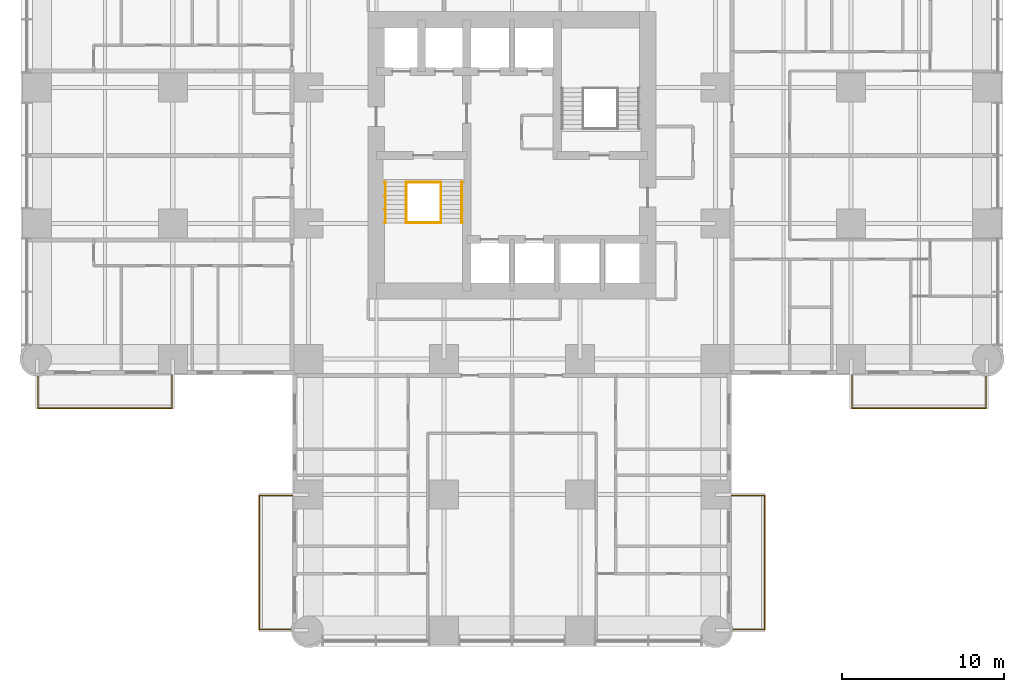
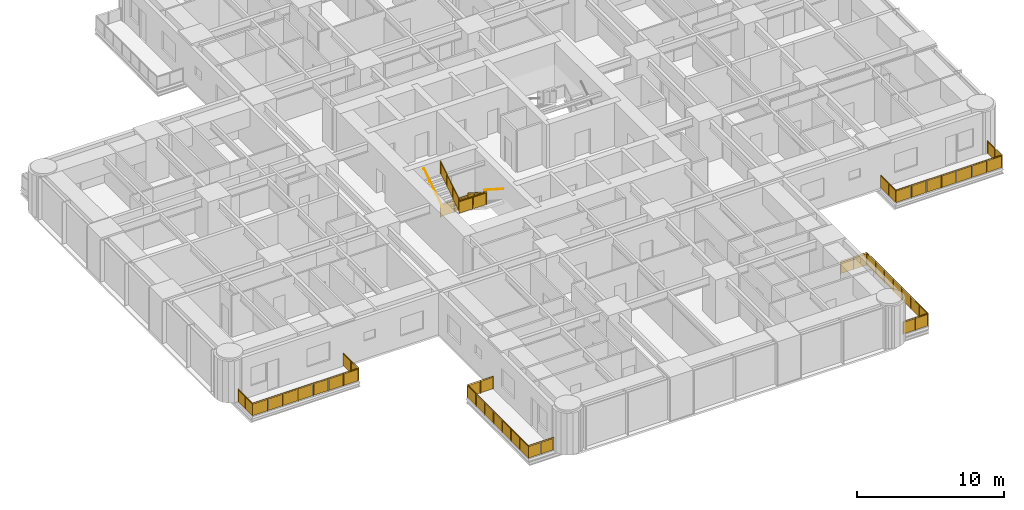
# One storey, part 16 of 17: 10 railings.
"""IFC4 building model written with IfcOpenShell, lengths in metres."""

from ifc_helpers import new_model, si_unit, direction, frame, origin, origin_2d, place, context, subcontext, project, spatial, polyline, circle, outline, extrude, material, constituent, constituent_set, type_object, element, save


model = new_model("IFC4")

# Units and contexts
model_context = context("Model", 3, precision=1e-05, world=origin(), true_north=direction((0.0, 1.0)))
body_context = subcontext(model_context, "Body", "Model", "MODEL_VIEW")
ifc_project = project(units=[si_unit("LENGTHUNIT", "METRE"), si_unit("AREAUNIT", "SQUARE_METRE"), si_unit("VOLUMEUNIT", "CUBIC_METRE"), si_unit("PLANEANGLEUNIT", "RADIAN"), si_unit("MASSUNIT", "GRAM", prefix="KILO")], contexts=[model_context])

# Site, building, storey
site_placement = place(None, origin())
site = spatial("IfcSite", under=ifc_project, at=site_placement, CompositionType="ELEMENT")
building_placement = place(site_placement, origin())
building = spatial("IfcBuilding", under=site, at=building_placement, Name="Torre Alcanfor", CompositionType="ELEMENT")
storey_placement = place(building_placement, frame((0.0, 0.0, 77.699951171875)))
storey = spatial("IfcBuildingStorey", under=building, at=storey_placement, Name="L19", CompositionType="ELEMENT", Elevation=77.699951171875)

# Railings
ifc_material_1 = material(Name="Laminated safety glass", Category="glass")
ifc_constituent_1 = constituent(ifc_material_1, Name="Infill")
ifc_material_2 = material(Name="Stainless steel ASTM A554 Grade MT 316L tube", Category="steel")
ifc_constituent_2 = constituent(ifc_material_2, Name="Posts and rail")
ifc_constituent_set = constituent_set(constituents=[ifc_constituent_1, ifc_constituent_2], Name="Balcony guard glass 1100")
railing_type_1 = type_object("IfcRailingType", Name="Balcony guard glass 1100", PredefinedType="BALUSTRADE", material=ifc_constituent_set)
railing_1_placement = place(storey_placement, frame((50.449951171875, 15.800048828125, 0.0)))
element("IfcRailing", 1, at=railing_1_placement, inside=storey, type_object=railing_type_1, Name="Balcony guard L19-E2", PredefinedType="BALUSTRADE", context=body_context, shape_type="SweptSolid", body=[
    extrude(circle(Radius=0.02392578125, at=origin_2d()), frame((0.0, 0.0, 1.076171875), z_axis=(0.0, -1.0, 0.0), x_axis=(1.0, 0.0, 0.0)), (0.0, 0.0, 1.0), 2.050048828125),
    extrude(circle(Radius=0.02392578125, at=origin_2d()), frame((0.0, -2.050048828125, 1.076171875), z_axis=(1.0, 0.0, 0.0), x_axis=(0.0, 1.0, 0.0)), (0.0, 0.0, 1.0), 8.300048828125),
    extrude(circle(Radius=0.02392578125, at=origin_2d()), frame((8.300048828125, -2.050048828125, 1.076171875), z_axis=(0.0, 1.0, 0.0), x_axis=(-1.0, 0.0, 0.0)), (0.0, 0.0, 1.0), 1.968994140625),
    extrude(circle(Radius=0.02099609375, at=origin_2d()), origin(), (0.0, 0.0, 1.0), 1.052001953125),
    extrude(circle(Radius=0.02099609375, at=origin_2d()), frame((0.0, -1.02490234375, 0.0)), (0.0, 0.0, 1.0), 1.052001953125),
    extrude(circle(Radius=0.02099609375, at=origin_2d()), frame((0.0, -2.050048828125, 0.0)), (0.0, 0.0, 1.0), 1.052001953125),
    extrude(circle(Radius=0.02099609375, at=origin_2d()), frame((1.185791015625, -2.050048828125, 0.0)), (0.0, 0.0, 1.0), 1.052001953125),
    extrude(circle(Radius=0.02099609375, at=origin_2d()), frame((2.371337890625, -2.050048828125, 0.0)), (0.0, 0.0, 1.0), 1.052001953125),
    extrude(circle(Radius=0.02099609375, at=origin_2d()), frame((3.55712890625, -2.050048828125, 0.0)), (0.0, 0.0, 1.0), 1.052001953125),
    extrude(circle(Radius=0.02099609375, at=origin_2d()), frame((4.742919921875, -2.050048828125, 0.0)), (0.0, 0.0, 1.0), 1.052001953125),
    extrude(circle(Radius=0.02099609375, at=origin_2d()), frame((5.9287109375, -2.050048828125, 0.0)), (0.0, 0.0, 1.0), 1.052001953125),
    extrude(circle(Radius=0.02099609375, at=origin_2d()), frame((7.1142578125, -2.050048828125, 0.0)), (0.0, 0.0, 1.0), 1.052001953125),
    extrude(circle(Radius=0.02099609375, at=origin_2d()), frame((8.300048828125, -2.050048828125, 0.0)), (0.0, 0.0, 1.0), 1.052001953125),
    extrude(circle(Radius=0.02099609375, at=origin_2d()), frame((8.300048828125, -1.0654296875, 0.0)), (0.0, 0.0, 1.0), 1.052001953125),
    extrude(circle(Radius=0.02099609375, at=origin_2d()), frame((8.300048828125, -0.0810546875, 0.0)), (0.0, 0.0, 1.0), 1.052001953125),
    extrude(outline(polyline([(0.041015625, 0.050048828125), (0.984130859375, 0.050048828125), (0.984130859375, 1.001953125), (0.041015625, 1.001953125), (0.041015625, 0.050048828125)])), frame((0.005859375, 0.0, 0.0), z_axis=(-1.0, 0.0, 0.0), x_axis=(0.0, -1.0, 0.0)), (0.0, 0.0, 1.0), 0.011962890625),
    extrude(outline(polyline([(1.06591796875, 0.050048828125), (2.009033203125, 0.050048828125), (2.009033203125, 1.001953125), (1.06591796875, 1.001953125), (1.06591796875, 0.050048828125)])), frame((0.005859375, 0.0, 0.0), z_axis=(-1.0, 0.0, 0.0), x_axis=(0.0, -1.0, 0.0)), (0.0, 0.0, 1.0), 0.011962890625),
    extrude(outline(polyline([(0.041015625, 0.050048828125), (1.144775390625, 0.050048828125), (1.144775390625, 1.001953125), (0.041015625, 1.001953125), (0.041015625, 0.050048828125)])), frame((0.0, -2.0439453125, 0.0), z_axis=(0.0, -1.0, 0.0), x_axis=(1.0, 0.0, 0.0)), (0.0, 0.0, 1.0), 0.011962890625),
    extrude(outline(polyline([(1.226806640625, 0.050048828125), (2.330322265625, 0.050048828125), (2.330322265625, 1.001953125), (1.226806640625, 1.001953125), (1.226806640625, 0.050048828125)])), frame((0.0, -2.0439453125, 0.0), z_axis=(0.0, -1.0, 0.0), x_axis=(1.0, 0.0, 0.0)), (0.0, 0.0, 1.0), 0.011962890625),
    extrude(outline(polyline([(2.412353515625, 0.050048828125), (3.51611328125, 0.050048828125), (3.51611328125, 1.001953125), (2.412353515625, 1.001953125), (2.412353515625, 0.050048828125)])), frame((0.0, -2.0439453125, 0.0), z_axis=(0.0, -1.0, 0.0), x_axis=(1.0, 0.0, 0.0)), (0.0, 0.0, 1.0), 0.011962890625),
    extrude(outline(polyline([(3.59814453125, 0.050048828125), (4.701904296875, 0.050048828125), (4.701904296875, 1.001953125), (3.59814453125, 1.001953125), (3.59814453125, 0.050048828125)])), frame((0.0, -2.0439453125, 0.0), z_axis=(0.0, -1.0, 0.0), x_axis=(1.0, 0.0, 0.0)), (0.0, 0.0, 1.0), 0.011962890625),
    extrude(outline(polyline([(4.783935546875, 0.050048828125), (5.8876953125, 0.050048828125), (5.8876953125, 1.001953125), (4.783935546875, 1.001953125), (4.783935546875, 0.050048828125)])), frame((0.0, -2.0439453125, 0.0), z_axis=(0.0, -1.0, 0.0), x_axis=(1.0, 0.0, 0.0)), (0.0, 0.0, 1.0), 0.011962890625),
    extrude(outline(polyline([(5.9697265625, 0.050048828125), (7.0732421875, 0.050048828125), (7.0732421875, 1.001953125), (5.9697265625, 1.001953125), (5.9697265625, 0.050048828125)])), frame((0.0, -2.0439453125, 0.0), z_axis=(0.0, -1.0, 0.0), x_axis=(1.0, 0.0, 0.0)), (0.0, 0.0, 1.0), 0.011962890625),
    extrude(outline(polyline([(7.1552734375, 0.050048828125), (8.259033203125, 0.050048828125), (8.259033203125, 1.001953125), (7.1552734375, 1.001953125), (7.1552734375, 0.050048828125)])), frame((0.0, -2.0439453125, 0.0), z_axis=(0.0, -1.0, 0.0), x_axis=(1.0, 0.0, 0.0)), (0.0, 0.0, 1.0), 0.011962890625),
    extrude(outline(polyline([(0.041015625, 0.050048828125), (0.943603515625, 0.050048828125), (0.943603515625, 1.001953125), (0.041015625, 1.001953125), (0.041015625, 0.050048828125)])), frame((8.2939453125, -2.050048828125, 0.0), z_axis=(1.0, 0.0, 0.0), x_axis=(0.0, 1.0, 0.0)), (0.0, 0.0, 1.0), 0.011962890625),
    extrude(outline(polyline([(1.025390625, 0.050048828125), (1.927978515625, 0.050048828125), (1.927978515625, 1.001953125), (1.025390625, 1.001953125), (1.025390625, 0.050048828125)])), frame((8.2939453125, -2.050048828125, 0.0), z_axis=(1.0, 0.0, 0.0), x_axis=(0.0, 1.0, 0.0)), (0.0, 0.0, 1.0), 0.011962890625),
])
railing_2_placement = place(storey_placement, frame((43.0, 8.35009765625, 0.0)))
element("IfcRailing", 2, at=railing_2_placement, inside=storey, type_object=railing_type_1, Name="Balcony guard L19-S1", PredefinedType="BALUSTRADE", context=body_context, shape_type="SweptSolid", body=[
    extrude(circle(Radius=0.02392578125, at=origin_2d()), frame((0.0, 0.0, 1.076171875), z_axis=(1.0, 0.0, 0.0), x_axis=(0.0, 1.0, 0.0)), (0.0, 0.0, 1.0), 2.050048828125),
    extrude(circle(Radius=0.02392578125, at=origin_2d()), frame((2.050048828125, 0.0, 1.076171875), z_axis=(0.0, -1.0, 0.0), x_axis=(1.0, 0.0, 0.0)), (0.0, 0.0, 1.0), 8.300048828125),
    extrude(circle(Radius=0.02392578125, at=origin_2d()), frame((2.050048828125, -8.300048828125, 1.076171875), z_axis=(-1.0, 0.0, 0.0), x_axis=(0.0, -1.0, 0.0)), (0.0, 0.0, 1.0), 1.968994140625),
    extrude(circle(Radius=0.02099609375, at=origin_2d()), origin(), (0.0, 0.0, 1.0), 1.052001953125),
    extrude(circle(Radius=0.02099609375, at=origin_2d()), frame((1.02490234375, 0.0, 0.0)), (0.0, 0.0, 1.0), 1.052001953125),
    extrude(circle(Radius=0.02099609375, at=origin_2d()), frame((2.050048828125, 0.0, 0.0)), (0.0, 0.0, 1.0), 1.052001953125),
    extrude(circle(Radius=0.02099609375, at=origin_2d()), frame((2.050048828125, -1.185791015625, 0.0)), (0.0, 0.0, 1.0), 1.052001953125),
    extrude(circle(Radius=0.02099609375, at=origin_2d()), frame((2.050048828125, -2.371337890625, 0.0)), (0.0, 0.0, 1.0), 1.052001953125),
    extrude(circle(Radius=0.02099609375, at=origin_2d()), frame((2.050048828125, -3.55712890625, 0.0)), (0.0, 0.0, 1.0), 1.052001953125),
    extrude(circle(Radius=0.02099609375, at=origin_2d()), frame((2.050048828125, -4.742919921875, 0.0)), (0.0, 0.0, 1.0), 1.052001953125),
    extrude(circle(Radius=0.02099609375, at=origin_2d()), frame((2.050048828125, -5.9287109375, 0.0)), (0.0, 0.0, 1.0), 1.052001953125),
    extrude(circle(Radius=0.02099609375, at=origin_2d()), frame((2.050048828125, -7.1142578125, 0.0)), (0.0, 0.0, 1.0), 1.052001953125),
    extrude(circle(Radius=0.02099609375, at=origin_2d()), frame((2.050048828125, -8.300048828125, 0.0)), (0.0, 0.0, 1.0), 1.052001953125),
    extrude(circle(Radius=0.02099609375, at=origin_2d()), frame((1.0654296875, -8.300048828125, 0.0)), (0.0, 0.0, 1.0), 1.052001953125),
    extrude(circle(Radius=0.02099609375, at=origin_2d()), frame((0.0810546875, -8.300048828125, 0.0)), (0.0, 0.0, 1.0), 1.052001953125),
    extrude(outline(polyline([(0.041015625, 0.050048828125), (0.984130859375, 0.050048828125), (0.984130859375, 1.001953125), (0.041015625, 1.001953125), (0.041015625, 0.050048828125)])), frame((0.0, 0.005859375, 0.0), z_axis=(0.0, -1.0, 0.0), x_axis=(1.0, 0.0, 0.0)), (0.0, 0.0, 1.0), 0.011962890625),
    extrude(outline(polyline([(1.06591796875, 0.050048828125), (2.009033203125, 0.050048828125), (2.009033203125, 1.001953125), (1.06591796875, 1.001953125), (1.06591796875, 0.050048828125)])), frame((0.0, 0.005859375, 0.0), z_axis=(0.0, -1.0, 0.0), x_axis=(1.0, 0.0, 0.0)), (0.0, 0.0, 1.0), 0.011962890625),
    extrude(outline(polyline([(0.041015625, 0.050048828125), (1.144775390625, 0.050048828125), (1.144775390625, 1.001953125), (0.041015625, 1.001953125), (0.041015625, 0.050048828125)])), frame((2.05615234375, 0.0, 0.0), z_axis=(-1.0, 0.0, 0.0), x_axis=(0.0, -1.0, 0.0)), (0.0, 0.0, 1.0), 0.011962890625),
    extrude(outline(polyline([(1.226806640625, 0.050048828125), (2.330322265625, 0.050048828125), (2.330322265625, 1.001953125), (1.226806640625, 1.001953125), (1.226806640625, 0.050048828125)])), frame((2.05615234375, 0.0, 0.0), z_axis=(-1.0, 0.0, 0.0), x_axis=(0.0, -1.0, 0.0)), (0.0, 0.0, 1.0), 0.011962890625),
    extrude(outline(polyline([(2.412353515625, 0.050048828125), (3.51611328125, 0.050048828125), (3.51611328125, 1.001953125), (2.412353515625, 1.001953125), (2.412353515625, 0.050048828125)])), frame((2.05615234375, 0.0, 0.0), z_axis=(-1.0, 0.0, 0.0), x_axis=(0.0, -1.0, 0.0)), (0.0, 0.0, 1.0), 0.011962890625),
    extrude(outline(polyline([(3.59814453125, 0.050048828125), (4.701904296875, 0.050048828125), (4.701904296875, 1.001953125), (3.59814453125, 1.001953125), (3.59814453125, 0.050048828125)])), frame((2.05615234375, 0.0, 0.0), z_axis=(-1.0, 0.0, 0.0), x_axis=(0.0, -1.0, 0.0)), (0.0, 0.0, 1.0), 0.011962890625),
    extrude(outline(polyline([(4.783935546875, 0.050048828125), (5.8876953125, 0.050048828125), (5.8876953125, 1.001953125), (4.783935546875, 1.001953125), (4.783935546875, 0.050048828125)])), frame((2.05615234375, 0.0, 0.0), z_axis=(-1.0, 0.0, 0.0), x_axis=(0.0, -1.0, 0.0)), (0.0, 0.0, 1.0), 0.011962890625),
    extrude(outline(polyline([(5.9697265625, 0.050048828125), (7.0732421875, 0.050048828125), (7.0732421875, 1.001953125), (5.9697265625, 1.001953125), (5.9697265625, 0.050048828125)])), frame((2.05615234375, 0.0, 0.0), z_axis=(-1.0, 0.0, 0.0), x_axis=(0.0, -1.0, 0.0)), (0.0, 0.0, 1.0), 0.011962890625),
    extrude(outline(polyline([(7.1552734375, 0.050048828125), (8.259033203125, 0.050048828125), (8.259033203125, 1.001953125), (7.1552734375, 1.001953125), (7.1552734375, 0.050048828125)])), frame((2.05615234375, 0.0, 0.0), z_axis=(-1.0, 0.0, 0.0), x_axis=(0.0, -1.0, 0.0)), (0.0, 0.0, 1.0), 0.011962890625),
    extrude(outline(polyline([(0.041015625, 0.050048828125), (0.943603515625, 0.050048828125), (0.943603515625, 1.001953125), (0.041015625, 1.001953125), (0.041015625, 0.050048828125)])), frame((2.050048828125, -8.30615234375, 0.0), z_axis=(0.0, 1.0, 0.0), x_axis=(-1.0, 0.0, 0.0)), (0.0, 0.0, 1.0), 0.011962890625),
    extrude(outline(polyline([(1.025390625, 0.050048828125), (1.927978515625, 0.050048828125), (1.927978515625, 1.001953125), (1.025390625, 1.001953125), (1.025390625, 0.050048828125)])), frame((2.050048828125, -8.30615234375, 0.0), z_axis=(0.0, 1.0, 0.0), x_axis=(-1.0, 0.0, 0.0)), (0.0, 0.0, 1.0), 0.011962890625),
])
railing_3_placement = place(storey_placement, frame((15.800048828125, 8.35009765625, 0.0)))
element("IfcRailing", 3, at=railing_3_placement, inside=storey, type_object=railing_type_1, Name="Balcony guard L19-S2", PredefinedType="BALUSTRADE", context=body_context, shape_type="SweptSolid", body=[
    extrude(circle(Radius=0.02392578125, at=origin_2d()), frame((0.0, 0.0, 1.076171875), z_axis=(-1.0, 0.0, 0.0), x_axis=(0.0, -1.0, 0.0)), (0.0, 0.0, 1.0), 2.050048828125),
    extrude(circle(Radius=0.02392578125, at=origin_2d()), frame((-2.050048828125, 0.0, 1.076171875), z_axis=(0.0, -1.0, 0.0), x_axis=(1.0, 0.0, 0.0)), (0.0, 0.0, 1.0), 8.300048828125),
    extrude(circle(Radius=0.02392578125, at=origin_2d()), frame((-2.050048828125, -8.300048828125, 1.076171875), z_axis=(1.0, 0.0, 0.0), x_axis=(0.0, 1.0, 0.0)), (0.0, 0.0, 1.0), 1.968994140625),
    extrude(circle(Radius=0.02099609375, at=origin_2d()), origin(), (0.0, 0.0, 1.0), 1.052001953125),
    extrude(circle(Radius=0.02099609375, at=origin_2d()), frame((-1.02490234375, 0.0, 0.0)), (0.0, 0.0, 1.0), 1.052001953125),
    extrude(circle(Radius=0.02099609375, at=origin_2d()), frame((-2.050048828125, 0.0, 0.0)), (0.0, 0.0, 1.0), 1.052001953125),
    extrude(circle(Radius=0.02099609375, at=origin_2d()), frame((-2.050048828125, -1.185791015625, 0.0)), (0.0, 0.0, 1.0), 1.052001953125),
    extrude(circle(Radius=0.02099609375, at=origin_2d()), frame((-2.050048828125, -2.371337890625, 0.0)), (0.0, 0.0, 1.0), 1.052001953125),
    extrude(circle(Radius=0.02099609375, at=origin_2d()), frame((-2.050048828125, -3.55712890625, 0.0)), (0.0, 0.0, 1.0), 1.052001953125),
    extrude(circle(Radius=0.02099609375, at=origin_2d()), frame((-2.050048828125, -4.742919921875, 0.0)), (0.0, 0.0, 1.0), 1.052001953125),
    extrude(circle(Radius=0.02099609375, at=origin_2d()), frame((-2.050048828125, -5.9287109375, 0.0)), (0.0, 0.0, 1.0), 1.052001953125),
    extrude(circle(Radius=0.02099609375, at=origin_2d()), frame((-2.050048828125, -7.1142578125, 0.0)), (0.0, 0.0, 1.0), 1.052001953125),
    extrude(circle(Radius=0.02099609375, at=origin_2d()), frame((-2.050048828125, -8.300048828125, 0.0)), (0.0, 0.0, 1.0), 1.052001953125),
    extrude(circle(Radius=0.02099609375, at=origin_2d()), frame((-1.0654296875, -8.300048828125, 0.0)), (0.0, 0.0, 1.0), 1.052001953125),
    extrude(circle(Radius=0.02099609375, at=origin_2d()), frame((-0.0810546875, -8.300048828125, 0.0)), (0.0, 0.0, 1.0), 1.052001953125),
    extrude(outline(polyline([(0.041015625, 0.050048828125), (0.984130859375, 0.050048828125), (0.984130859375, 1.001953125), (0.041015625, 1.001953125), (0.041015625, 0.050048828125)])), frame((0.0, -0.005859375, 0.0), z_axis=(0.0, 1.0, 0.0), x_axis=(-1.0, 0.0, 0.0)), (0.0, 0.0, 1.0), 0.011962890625),
    extrude(outline(polyline([(1.06591796875, 0.050048828125), (2.009033203125, 0.050048828125), (2.009033203125, 1.001953125), (1.06591796875, 1.001953125), (1.06591796875, 0.050048828125)])), frame((0.0, -0.005859375, 0.0), z_axis=(0.0, 1.0, 0.0), x_axis=(-1.0, 0.0, 0.0)), (0.0, 0.0, 1.0), 0.011962890625),
    extrude(outline(polyline([(0.041015625, 0.050048828125), (1.144775390625, 0.050048828125), (1.144775390625, 1.001953125), (0.041015625, 1.001953125), (0.041015625, 0.050048828125)])), frame((-2.0439453125, 0.0, 0.0), z_axis=(-1.0, 0.0, 0.0), x_axis=(0.0, -1.0, 0.0)), (0.0, 0.0, 1.0), 0.011962890625),
    extrude(outline(polyline([(1.226806640625, 0.050048828125), (2.330322265625, 0.050048828125), (2.330322265625, 1.001953125), (1.226806640625, 1.001953125), (1.226806640625, 0.050048828125)])), frame((-2.0439453125, 0.0, 0.0), z_axis=(-1.0, 0.0, 0.0), x_axis=(0.0, -1.0, 0.0)), (0.0, 0.0, 1.0), 0.011962890625),
    extrude(outline(polyline([(2.412353515625, 0.050048828125), (3.51611328125, 0.050048828125), (3.51611328125, 1.001953125), (2.412353515625, 1.001953125), (2.412353515625, 0.050048828125)])), frame((-2.0439453125, 0.0, 0.0), z_axis=(-1.0, 0.0, 0.0), x_axis=(0.0, -1.0, 0.0)), (0.0, 0.0, 1.0), 0.011962890625),
    extrude(outline(polyline([(3.59814453125, 0.050048828125), (4.701904296875, 0.050048828125), (4.701904296875, 1.001953125), (3.59814453125, 1.001953125), (3.59814453125, 0.050048828125)])), frame((-2.0439453125, 0.0, 0.0), z_axis=(-1.0, 0.0, 0.0), x_axis=(0.0, -1.0, 0.0)), (0.0, 0.0, 1.0), 0.011962890625),
    extrude(outline(polyline([(4.783935546875, 0.050048828125), (5.8876953125, 0.050048828125), (5.8876953125, 1.001953125), (4.783935546875, 1.001953125), (4.783935546875, 0.050048828125)])), frame((-2.0439453125, 0.0, 0.0), z_axis=(-1.0, 0.0, 0.0), x_axis=(0.0, -1.0, 0.0)), (0.0, 0.0, 1.0), 0.011962890625),
    extrude(outline(polyline([(5.9697265625, 0.050048828125), (7.0732421875, 0.050048828125), (7.0732421875, 1.001953125), (5.9697265625, 1.001953125), (5.9697265625, 0.050048828125)])), frame((-2.0439453125, 0.0, 0.0), z_axis=(-1.0, 0.0, 0.0), x_axis=(0.0, -1.0, 0.0)), (0.0, 0.0, 1.0), 0.011962890625),
    extrude(outline(polyline([(7.1552734375, 0.050048828125), (8.259033203125, 0.050048828125), (8.259033203125, 1.001953125), (7.1552734375, 1.001953125), (7.1552734375, 0.050048828125)])), frame((-2.0439453125, 0.0, 0.0), z_axis=(-1.0, 0.0, 0.0), x_axis=(0.0, -1.0, 0.0)), (0.0, 0.0, 1.0), 0.011962890625),
    extrude(outline(polyline([(0.041015625, 0.050048828125), (0.943603515625, 0.050048828125), (0.943603515625, 1.001953125), (0.041015625, 1.001953125), (0.041015625, 0.050048828125)])), frame((-2.050048828125, -8.2939453125, 0.0), z_axis=(0.0, -1.0, 0.0), x_axis=(1.0, 0.0, 0.0)), (0.0, 0.0, 1.0), 0.011962890625),
    extrude(outline(polyline([(1.025390625, 0.050048828125), (1.927978515625, 0.050048828125), (1.927978515625, 1.001953125), (1.025390625, 1.001953125), (1.025390625, 0.050048828125)])), frame((-2.050048828125, -8.2939453125, 0.0), z_axis=(0.0, -1.0, 0.0), x_axis=(1.0, 0.0, 0.0)), (0.0, 0.0, 1.0), 0.011962890625),
])
railing_4_placement = place(storey_placement, frame((8.35009765625, 15.800048828125, 0.0)))
element("IfcRailing", 4, at=railing_4_placement, inside=storey, type_object=railing_type_1, Name="Balcony guard L19-W1", PredefinedType="BALUSTRADE", context=body_context, shape_type="SweptSolid", body=[
    extrude(circle(Radius=0.02392578125, at=origin_2d()), frame((0.0, 0.0, 1.076171875), z_axis=(0.0, -1.0, 0.0), x_axis=(1.0, 0.0, 0.0)), (0.0, 0.0, 1.0), 2.050048828125),
    extrude(circle(Radius=0.02392578125, at=origin_2d()), frame((0.0, -2.050048828125, 1.076171875), z_axis=(-1.0, 0.0, 0.0), x_axis=(0.0, -1.0, 0.0)), (0.0, 0.0, 1.0), 8.300048828125),
    extrude(circle(Radius=0.02392578125, at=origin_2d()), frame((-8.300048828125, -2.050048828125, 1.076171875), z_axis=(0.0, 1.0, 0.0), x_axis=(-1.0, 0.0, 0.0)), (0.0, 0.0, 1.0), 1.968994140625),
    extrude(circle(Radius=0.02099609375, at=origin_2d()), origin(), (0.0, 0.0, 1.0), 1.052001953125),
    extrude(circle(Radius=0.02099609375, at=origin_2d()), frame((0.0, -1.02490234375, 0.0)), (0.0, 0.0, 1.0), 1.052001953125),
    extrude(circle(Radius=0.02099609375, at=origin_2d()), frame((0.0, -2.050048828125, 0.0)), (0.0, 0.0, 1.0), 1.052001953125),
    extrude(circle(Radius=0.02099609375, at=origin_2d()), frame((-1.185791015625, -2.050048828125, 0.0)), (0.0, 0.0, 1.0), 1.052001953125),
    extrude(circle(Radius=0.02099609375, at=origin_2d()), frame((-2.371337890625, -2.050048828125, 0.0)), (0.0, 0.0, 1.0), 1.052001953125),
    extrude(circle(Radius=0.02099609375, at=origin_2d()), frame((-3.55712890625, -2.050048828125, 0.0)), (0.0, 0.0, 1.0), 1.052001953125),
    extrude(circle(Radius=0.02099609375, at=origin_2d()), frame((-4.742919921875, -2.050048828125, 0.0)), (0.0, 0.0, 1.0), 1.052001953125),
    extrude(circle(Radius=0.02099609375, at=origin_2d()), frame((-5.9287109375, -2.050048828125, 0.0)), (0.0, 0.0, 1.0), 1.052001953125),
    extrude(circle(Radius=0.02099609375, at=origin_2d()), frame((-7.1142578125, -2.050048828125, 0.0)), (0.0, 0.0, 1.0), 1.052001953125),
    extrude(circle(Radius=0.02099609375, at=origin_2d()), frame((-8.300048828125, -2.050048828125, 0.0)), (0.0, 0.0, 1.0), 1.052001953125),
    extrude(circle(Radius=0.02099609375, at=origin_2d()), frame((-8.300048828125, -1.0654296875, 0.0)), (0.0, 0.0, 1.0), 1.052001953125),
    extrude(circle(Radius=0.02099609375, at=origin_2d()), frame((-8.300048828125, -0.0810546875, 0.0)), (0.0, 0.0, 1.0), 1.052001953125),
    extrude(outline(polyline([(0.041015625, 0.050048828125), (0.984130859375, 0.050048828125), (0.984130859375, 1.001953125), (0.041015625, 1.001953125), (0.041015625, 0.050048828125)])), frame((0.005859375, 0.0, 0.0), z_axis=(-1.0, 0.0, 0.0), x_axis=(0.0, -1.0, 0.0)), (0.0, 0.0, 1.0), 0.011962890625),
    extrude(outline(polyline([(1.06591796875, 0.050048828125), (2.009033203125, 0.050048828125), (2.009033203125, 1.001953125), (1.06591796875, 1.001953125), (1.06591796875, 0.050048828125)])), frame((0.005859375, 0.0, 0.0), z_axis=(-1.0, 0.0, 0.0), x_axis=(0.0, -1.0, 0.0)), (0.0, 0.0, 1.0), 0.011962890625),
    extrude(outline(polyline([(0.041015625, 0.050048828125), (1.144775390625, 0.050048828125), (1.144775390625, 1.001953125), (0.041015625, 1.001953125), (0.041015625, 0.050048828125)])), frame((0.0, -2.05615234375, 0.0), z_axis=(0.0, 1.0, 0.0), x_axis=(-1.0, 0.0, 0.0)), (0.0, 0.0, 1.0), 0.011962890625),
    extrude(outline(polyline([(1.226806640625, 0.050048828125), (2.330322265625, 0.050048828125), (2.330322265625, 1.001953125), (1.226806640625, 1.001953125), (1.226806640625, 0.050048828125)])), frame((0.0, -2.05615234375, 0.0), z_axis=(0.0, 1.0, 0.0), x_axis=(-1.0, 0.0, 0.0)), (0.0, 0.0, 1.0), 0.011962890625),
    extrude(outline(polyline([(2.412353515625, 0.050048828125), (3.51611328125, 0.050048828125), (3.51611328125, 1.001953125), (2.412353515625, 1.001953125), (2.412353515625, 0.050048828125)])), frame((0.0, -2.05615234375, 0.0), z_axis=(0.0, 1.0, 0.0), x_axis=(-1.0, 0.0, 0.0)), (0.0, 0.0, 1.0), 0.011962890625),
    extrude(outline(polyline([(3.59814453125, 0.050048828125), (4.701904296875, 0.050048828125), (4.701904296875, 1.001953125), (3.59814453125, 1.001953125), (3.59814453125, 0.050048828125)])), frame((0.0, -2.05615234375, 0.0), z_axis=(0.0, 1.0, 0.0), x_axis=(-1.0, 0.0, 0.0)), (0.0, 0.0, 1.0), 0.011962890625),
    extrude(outline(polyline([(4.783935546875, 0.050048828125), (5.8876953125, 0.050048828125), (5.8876953125, 1.001953125), (4.783935546875, 1.001953125), (4.783935546875, 0.050048828125)])), frame((0.0, -2.05615234375, 0.0), z_axis=(0.0, 1.0, 0.0), x_axis=(-1.0, 0.0, 0.0)), (0.0, 0.0, 1.0), 0.011962890625),
    extrude(outline(polyline([(5.9697265625, 0.050048828125), (7.0732421875, 0.050048828125), (7.0732421875, 1.001953125), (5.9697265625, 1.001953125), (5.9697265625, 0.050048828125)])), frame((0.0, -2.05615234375, 0.0), z_axis=(0.0, 1.0, 0.0), x_axis=(-1.0, 0.0, 0.0)), (0.0, 0.0, 1.0), 0.011962890625),
    extrude(outline(polyline([(7.1552734375, 0.050048828125), (8.259033203125, 0.050048828125), (8.259033203125, 1.001953125), (7.1552734375, 1.001953125), (7.1552734375, 0.050048828125)])), frame((0.0, -2.05615234375, 0.0), z_axis=(0.0, 1.0, 0.0), x_axis=(-1.0, 0.0, 0.0)), (0.0, 0.0, 1.0), 0.011962890625),
    extrude(outline(polyline([(0.041015625, 0.050048828125), (0.943603515625, 0.050048828125), (0.943603515625, 1.001953125), (0.041015625, 1.001953125), (0.041015625, 0.050048828125)])), frame((-8.30615234375, -2.050048828125, 0.0), z_axis=(1.0, 0.0, 0.0), x_axis=(0.0, 1.0, 0.0)), (0.0, 0.0, 1.0), 0.011962890625),
    extrude(outline(polyline([(1.025390625, 0.050048828125), (1.927978515625, 0.050048828125), (1.927978515625, 1.001953125), (1.025390625, 1.001953125), (1.025390625, 0.050048828125)])), frame((-8.30615234375, -2.050048828125, 0.0), z_axis=(1.0, 0.0, 0.0), x_axis=(0.0, 1.0, 0.0)), (0.0, 0.0, 1.0), 0.011962890625),
])
ifc_material_3 = material(Name="Steel ASTM A500 Grade C hollow sections", Category="steel")
railing_type_2 = type_object("IfcRailingType", Name="Stair guard and handrail 1100", PredefinedType="GUARDRAIL", material=ifc_material_3)
railing_5_placement = place(storey_placement, frame((25.0, 27.75, 0.179931640625)))
element("IfcRailing", 5, at=railing_5_placement, inside=storey, type_object=railing_type_2, Name="Stair guard S1 L19 flight 1", PredefinedType="GUARDRAIL", context=body_context, shape_type="SweptSolid", body=[
    extrude(circle(Radius=0.02392578125, at=origin_2d()), frame((0.0, 0.0, 1.076171875), z_axis=(0.0, -0.841162588446, 0.540782303519), x_axis=(1.0, 0.0, 0.0)), (0.0, 0.0, 1.0), 2.995849609375),
    extrude(circle(Radius=0.02099609375, at=origin_2d()), origin(), (0.0, 0.0, 1.0), 1.052001953125),
    extrude(circle(Radius=0.02099609375, at=origin_2d()), frame((0.0, -0.840087890625, 0.5400390625)), (0.0, 0.0, 1.0), 1.052001953125),
    extrude(circle(Radius=0.02099609375, at=origin_2d()), frame((0.0, -1.679931640625, 1.080078125)), (0.0, 0.0, 1.0), 1.052001953125),
    extrude(circle(Radius=0.02099609375, at=origin_2d()), frame((0.0, -2.52001953125, 1.6201171875)), (0.0, 0.0, 1.0), 1.052001953125),
    extrude(outline(polyline([(0.041015625, 0.076416015625), (0.799072265625, 0.563720703125), (0.799072265625, 1.515625), (0.041015625, 1.0283203125), (0.041015625, 0.076416015625)])), frame((0.005859375, 0.0, 0.0), z_axis=(-1.0, 0.0, 0.0), x_axis=(0.0, -1.0, 0.0)), (0.0, 0.0, 1.0), 0.011962890625),
    extrude(outline(polyline([(0.881103515625, 0.616455078125), (1.638916015625, 1.103759765625), (1.638916015625, 2.0556640625), (0.881103515625, 1.568359375), (0.881103515625, 0.616455078125)])), frame((0.005859375, 0.0, 0.0), z_axis=(-1.0, 0.0, 0.0), x_axis=(0.0, -1.0, 0.0)), (0.0, 0.0, 1.0), 0.011962890625),
    extrude(outline(polyline([(1.720947265625, 1.156494140625), (2.47900390625, 1.643798828125), (2.47900390625, 2.595703125), (1.720947265625, 2.1083984375), (1.720947265625, 1.156494140625)])), frame((0.005859375, 0.0, 0.0), z_axis=(-1.0, 0.0, 0.0), x_axis=(0.0, -1.0, 0.0)), (0.0, 0.0, 1.0), 0.011962890625),
])
railing_6_placement = place(storey_placement, frame((22.85009765625, 25.22998046875, 1.97998046875)))
element("IfcRailing", 6, at=railing_6_placement, inside=storey, type_object=railing_type_2, Name="Stair guard S1 L19 flight 2", PredefinedType="GUARDRAIL", context=body_context, shape_type="SweptSolid", body=[
    extrude(circle(Radius=0.02392578125, at=origin_2d()), frame((0.0, 0.0, 1.076171875), z_axis=(0.0, 0.841162588446, 0.540782303519), x_axis=(-1.0, 0.0, 0.0)), (0.0, 0.0, 1.0), 2.995849609375),
    extrude(circle(Radius=0.02099609375, at=origin_2d()), origin(), (0.0, 0.0, 1.0), 1.052001953125),
    extrude(circle(Radius=0.02099609375, at=origin_2d()), frame((0.0, 0.840087890625, 0.5400390625)), (0.0, 0.0, 1.0), 1.052001953125),
    extrude(circle(Radius=0.02099609375, at=origin_2d()), frame((0.0, 1.679931640625, 1.080078125)), (0.0, 0.0, 1.0), 1.052001953125),
    extrude(circle(Radius=0.02099609375, at=origin_2d()), frame((0.0, 2.52001953125, 1.6201171875)), (0.0, 0.0, 1.0), 1.052001953125),
    extrude(outline(polyline([(0.041015625, 0.076416015625), (0.799072265625, 0.563720703125), (0.799072265625, 1.515625), (0.041015625, 1.0283203125), (0.041015625, 0.076416015625)])), frame((-0.005859375, 0.0, 0.0), z_axis=(1.0, 0.0, 0.0), x_axis=(0.0, 1.0, 0.0)), (0.0, 0.0, 1.0), 0.011962890625),
    extrude(outline(polyline([(0.881103515625, 0.616455078125), (1.638916015625, 1.103759765625), (1.638916015625, 2.0556640625), (0.881103515625, 1.568359375), (0.881103515625, 0.616455078125)])), frame((-0.005859375, 0.0, 0.0), z_axis=(1.0, 0.0, 0.0), x_axis=(0.0, 1.0, 0.0)), (0.0, 0.0, 1.0), 0.011962890625),
    extrude(outline(polyline([(1.720947265625, 1.156494140625), (2.47900390625, 1.643798828125), (2.47900390625, 2.595703125), (1.720947265625, 2.1083984375), (1.720947265625, 1.156494140625)])), frame((-0.005859375, 0.0, 0.0), z_axis=(1.0, 0.0, 0.0), x_axis=(0.0, 1.0, 0.0)), (0.0, 0.0, 1.0), 0.011962890625),
])
for number, where, name in (
    (7, (22.85009765625, 27.75, 0.0), "Stair well guard S1 L19 floor landing"),
    (8, (22.85009765625, 25.22998046875, 1.800048828125), "Stair well guard S1 L19 half landing"),
):
    element("IfcRailing", number, at=place(storey_placement, frame(where)), inside=storey, type_object=railing_type_2, Name=name, PredefinedType="GUARDRAIL", context=body_context, shape_type="SweptSolid", body=[
        extrude(circle(Radius=0.02392578125, at=origin_2d()), frame((0.0, 0.0, 1.076171875), z_axis=(1.0, 0.0, 0.0), x_axis=(0.0, 1.0, 0.0)), (0.0, 0.0, 1.0), 2.14990234375),
        extrude(circle(Radius=0.02099609375, at=origin_2d()), origin(), (0.0, 0.0, 1.0), 1.052001953125),
        extrude(circle(Radius=0.02099609375, at=origin_2d()), frame((1.074951171875, 0.0, 0.0)), (0.0, 0.0, 1.0), 1.052001953125),
        extrude(circle(Radius=0.02099609375, at=origin_2d()), frame((2.14990234375, 0.0, 0.0)), (0.0, 0.0, 1.0), 1.052001953125),
        extrude(outline(polyline([(0.041015625, 0.050048828125), (1.033935546875, 0.050048828125), (1.033935546875, 1.001953125), (0.041015625, 1.001953125), (0.041015625, 0.050048828125)])), frame((0.0, 0.005859375, 0.0), z_axis=(0.0, -1.0, 0.0), x_axis=(1.0, 0.0, 0.0)), (0.0, 0.0, 1.0), 0.011962890625),
        extrude(outline(polyline([(1.115966796875, 0.050048828125), (2.10888671875, 0.050048828125), (2.10888671875, 1.001953125), (1.115966796875, 1.001953125), (1.115966796875, 0.050048828125)])), frame((0.0, 0.005859375, 0.0), z_axis=(0.0, -1.0, 0.0), x_axis=(1.0, 0.0, 0.0)), (0.0, 0.0, 1.0), 0.011962890625),
    ])
ifc_material_4 = material(Name="Steel ASTM A500 Grade C hollow sections", Category="steel")
railing_type_3 = type_object("IfcRailingType", Name="Stair wall handrail 900", PredefinedType="HANDRAIL", material=ifc_material_4)
railing_7_placement = place(storey_placement, frame((26.284912109375, 27.75, 0.179931640625)))
element("IfcRailing", 9, at=railing_7_placement, inside=storey, type_object=railing_type_3, Name="Stair handrail S1 L19 flight 1", PredefinedType="HANDRAIL", context=body_context, shape_type="SweptSolid", body=[
    extrude(circle(Radius=0.02392578125, at=origin_2d()), frame((0.0, 0.0, 0.8759765625), z_axis=(0.0, -0.841162588446, 0.540782303519), x_axis=(1.0, 0.0, 0.0)), (0.0, 0.0, 1.0), 2.995849609375),
    extrude(circle(Radius=0.008056640625, at=origin_2d()), frame((0.0, 0.0, 0.8759765625), z_axis=(1.0, 0.0, 0.0), x_axis=(0.0, 0.0, 1.0)), (0.0, 0.0, 1.0), 0.06494140625),
    extrude(circle(Radius=0.008056640625, at=origin_2d()), frame((0.0, -0.840087890625, 1.416015625), z_axis=(1.0, 0.0, 0.0), x_axis=(0.0, 0.0, 1.0)), (0.0, 0.0, 1.0), 0.06494140625),
    extrude(circle(Radius=0.008056640625, at=origin_2d()), frame((0.0, -1.679931640625, 1.9560546875), z_axis=(1.0, 0.0, 0.0), x_axis=(0.0, 0.0, 1.0)), (0.0, 0.0, 1.0), 0.06494140625),
    extrude(circle(Radius=0.008056640625, at=origin_2d()), frame((0.0, -2.52001953125, 2.49609375), z_axis=(1.0, 0.0, 0.0), x_axis=(0.0, 0.0, 1.0)), (0.0, 0.0, 1.0), 0.06494140625),
])
railing_8_placement = place(storey_placement, frame((21.56494140625, 25.22998046875, 1.97998046875)))
element("IfcRailing", 10, at=railing_8_placement, inside=storey, type_object=railing_type_3, Name="Stair handrail S1 L19 flight 2", PredefinedType="HANDRAIL", context=body_context, shape_type="SweptSolid", body=[
    extrude(circle(Radius=0.02392578125, at=origin_2d()), frame((0.0, 0.0, 0.8759765625), z_axis=(0.0, 0.841162588446, 0.540782303519), x_axis=(-1.0, 0.0, 0.0)), (0.0, 0.0, 1.0), 2.995849609375),
    extrude(circle(Radius=0.008056640625, at=origin_2d()), frame((0.0, 0.0, 0.8759765625), z_axis=(-1.0, 0.0, 0.0), x_axis=(0.0, 0.0, 1.0)), (0.0, 0.0, 1.0), 0.06494140625),
    extrude(circle(Radius=0.008056640625, at=origin_2d()), frame((0.0, 0.840087890625, 1.416015625), z_axis=(-1.0, 0.0, 0.0), x_axis=(0.0, 0.0, 1.0)), (0.0, 0.0, 1.0), 0.06494140625),
    extrude(circle(Radius=0.008056640625, at=origin_2d()), frame((0.0, 1.679931640625, 1.9560546875), z_axis=(-1.0, 0.0, 0.0), x_axis=(0.0, 0.0, 1.0)), (0.0, 0.0, 1.0), 0.06494140625),
    extrude(circle(Radius=0.008056640625, at=origin_2d()), frame((0.0, 2.52001953125, 2.49609375), z_axis=(-1.0, 0.0, 0.0), x_axis=(0.0, 0.0, 1.0)), (0.0, 0.0, 1.0), 0.06494140625),
])

save(model, "model.ifc")
